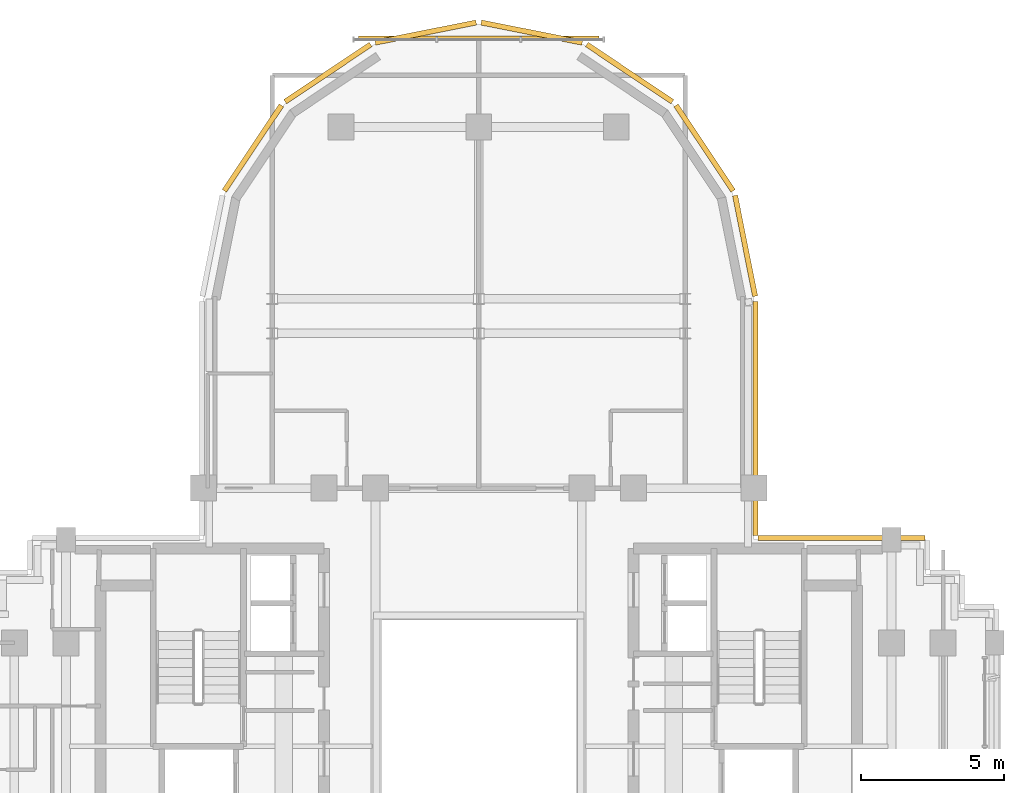
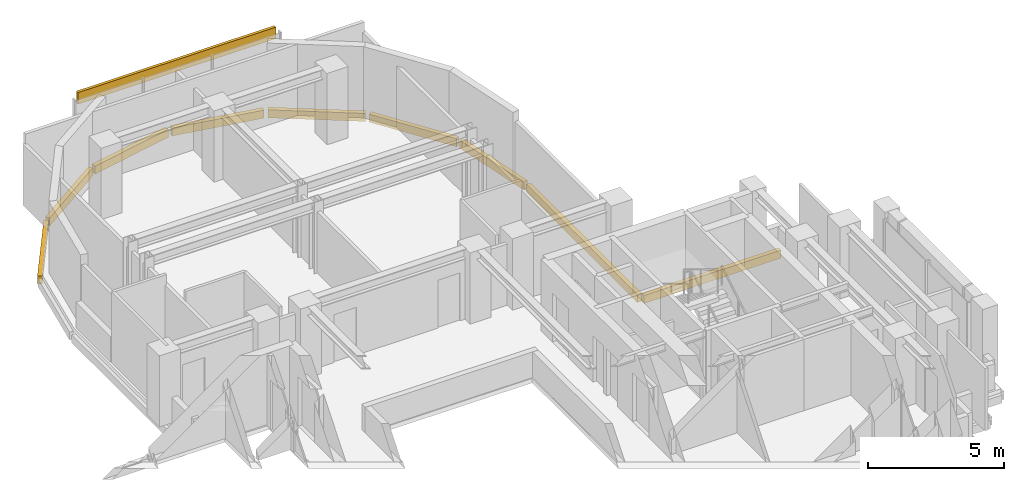
# One storey, part 12 of 12: 10 coverings.
"""IFC4 building model written with IfcOpenShell, lengths in metres."""

from ifc_helpers import new_model, si_unit, direction, frame, origin, origin_2d, place, context, subcontext, project, spatial, rectangle, extrude, source, transform, mapped, material, layer, layer_set, type_object, element, save


model = new_model("IFC4")

# Units and contexts
model_context = context("Model", 3, precision=1e-05, world=origin(), true_north=direction((0.0, 1.0)))
body_context = subcontext(model_context, "Body", "Model", "MODEL_VIEW")
ifc_project = project(units=[si_unit("LENGTHUNIT", "METRE"), si_unit("AREAUNIT", "SQUARE_METRE"), si_unit("VOLUMEUNIT", "CUBIC_METRE"), si_unit("PLANEANGLEUNIT", "RADIAN"), si_unit("MASSUNIT", "GRAM", prefix="KILO")], contexts=[model_context])

# Site, building, storey
site_placement = place(None, origin())
site = spatial("IfcSite", under=ifc_project, at=site_placement, CompositionType="ELEMENT")
building_placement = place(site_placement, origin())
building = spatial("IfcBuilding", under=site, at=building_placement, Name="Keilestroom Media Tower", CompositionType="ELEMENT")
storey_placement = place(building_placement, frame((0.0, 0.0, 191.0)))
storey = spatial("IfcBuildingStorey", under=building, at=storey_placement, Name="L52", CompositionType="ELEMENT", Elevation=191.0)

# Coverings
ifc_material = material(Name="Precast concrete C40/50", Category="concrete")
ifc_layer = layer(ifc_material, 0.1201171875)
ifc_layer_set = layer_set([ifc_layer], Name="Precast concrete C40/50")
covering_type = type_object("IfcCoveringType", Name="Exterior-Precast-Spandrel-Cladding-Panel-120", PredefinedType="CLADDING", material=ifc_layer_set)
shared_shape_1 = source(origin(), body_context, "Body", "SweptSolid", [
    extrude(rectangle(XDim=8.39990234375, YDim=0.1201171875, at=origin_2d()), origin(), (0.0, 0.0, 1.0), 0.52001953125),
])
covering_1_placement = place(storey_placement, frame((0.0, 24.719970703125, 2.68994140625), z_axis=(0.0, 0.0, 1.0), x_axis=(1.0, 0.0, 0.0)))
element("IfcCovering", 1, at=covering_1_placement, inside=storey, type_object=covering_type, Name="L52 Precast Spandrel Cladding N", PredefinedType="CLADDING", context=body_context, shape_type="MappedRepresentation", body=[
    mapped(shared_shape_1, transform((0.0, 0.0, 0.0), x_axis=(1.0, 0.0, 0.0), y_axis=(0.0, 1.0, 0.0), z_axis=(0.0, 0.0, 1.0), scale=1.0)),
])
shared_shape_2 = source(origin(), body_context, "Body", "SweptSolid", [
    extrude(rectangle(XDim=8.166015625, YDim=0.179931640625, at=origin_2d()), origin(), (0.0, 0.0, 1.0), 0.360107421875),
])
covering_2_placement = place(storey_placement, frame((9.659912109375, 11.43310546875, -0.5400390625), z_axis=(0.0, 0.0, 1.0), x_axis=(0.0, -1.0, 0.0)))
element("IfcCovering", 2, at=covering_2_placement, inside=storey, type_object=covering_type, Name="L52 Precast Slab-Edge Fascia Cornice 36", PredefinedType="CLADDING", context=body_context, shape_type="MappedRepresentation", body=[
    mapped(shared_shape_2, transform((0.0, 0.0, 0.0), x_axis=(1.0, 0.0, 0.0), y_axis=(0.0, 1.0, 0.0), z_axis=(0.0, 0.0, 1.0), scale=1.0)),
])
shared_shape_3 = source(origin(), body_context, "Body", "SweptSolid", [
    extrude(rectangle(XDim=3.58349609375, YDim=0.179931640625, at=origin_2d()), origin(), (0.0, 0.0, 1.0), 0.360107421875),
])
covering_3_placement = place(storey_placement, frame((9.29296875, 17.45166015625, -0.5400390625), z_axis=(0.0, 0.0, 1.0), x_axis=(0.195098880975, -0.980783577882, 0.0)))
element("IfcCovering", 3, at=covering_3_placement, inside=storey, type_object=covering_type, Name="L52 Precast Slab-Edge Fascia Cornice 35", PredefinedType="CLADDING", context=body_context, shape_type="MappedRepresentation", body=[
    mapped(shared_shape_3, transform((0.0, 0.0, 0.0), x_axis=(1.0, 0.0, 0.0), y_axis=(0.0, 1.0, 0.0), z_axis=(0.0, 0.0, 1.0), scale=1.0)),
])
shared_shape_4 = source(origin(), body_context, "Body", "SweptSolid", [
    extrude(rectangle(XDim=3.589599609375, YDim=0.179931640625, at=origin_2d()), origin(), (0.0, 0.0, 1.0), 0.360107421875),
])
for number, where, z_axis, x_axis, name in (
    (4, (-7.878662109375, 20.8642578125, -0.5400390625), (0.0, 0.0, 1.0), (0.555574586577, 0.831466703332, 0.0), "L52 Precast Slab-Edge Fascia Cornice 29"),
    (5, (-5.264404296875, 23.478515625, -0.5400390625), (0.0, 0.0, 1.0), (0.831466703332, 0.555574586577, 0.0), "L52 Precast Slab-Edge Fascia Cornice 30"),
    (6, (-1.8486328125, 24.893310546875, -0.5400390625), (0.0, 0.0, 1.0), (0.980783577882, 0.195098880975, 0.0), "L52 Precast Slab-Edge Fascia Cornice 31"),
    (7, (1.8486328125, 24.893310546875, -0.5400390625), (0.0, 0.0, 1.0), (0.980783577882, -0.195098880975, 0.0), "L52 Precast Slab-Edge Fascia Cornice 32"),
    (8, (5.264404296875, 23.478515625, -0.5400390625), (0.0, 0.0, 1.0), (0.831466703332, -0.555574586577, 0.0), "L52 Precast Slab-Edge Fascia Cornice 33"),
    (9, (7.878662109375, 20.8642578125, -0.5400390625), (0.0, 0.0, 1.0), (0.555574586577, -0.831466703332, 0.0), "L52 Precast Slab-Edge Fascia Cornice 34"),
):
    element("IfcCovering", number, at=place(storey_placement, frame(where, z_axis=z_axis, x_axis=x_axis)), inside=storey, type_object=covering_type, Name=name, PredefinedType="CLADDING", context=body_context, shape_type="MappedRepresentation", body=[
        mapped(shared_shape_4, transform((0.0, 0.0, 0.0), x_axis=(1.0, 0.0, 0.0), y_axis=(0.0, 1.0, 0.0), z_axis=(0.0, 0.0, 1.0), scale=1.0)),
    ])
shared_shape_5 = source(origin(), body_context, "Body", "SweptSolid", [
    extrude(rectangle(XDim=5.820068359375, YDim=0.179931640625, at=origin_2d()), origin(), (0.0, 0.0, 1.0), 0.360107421875),
])
covering_4_placement = place(storey_placement, frame((12.659912109375, 7.260009765625, -0.5400390625), z_axis=(0.0, 0.0, 1.0), x_axis=(1.0, 0.0, 0.0)))
element("IfcCovering", 10, at=covering_4_placement, inside=storey, type_object=covering_type, Name="L52 Precast Slab-Edge Fascia Cornice 37", PredefinedType="CLADDING", context=body_context, shape_type="MappedRepresentation", body=[
    mapped(shared_shape_5, transform((0.0, 0.0, 0.0), x_axis=(1.0, 0.0, 0.0), y_axis=(0.0, 1.0, 0.0), z_axis=(0.0, 0.0, 1.0), scale=1.0)),
])

save(model, "model.ifc")
